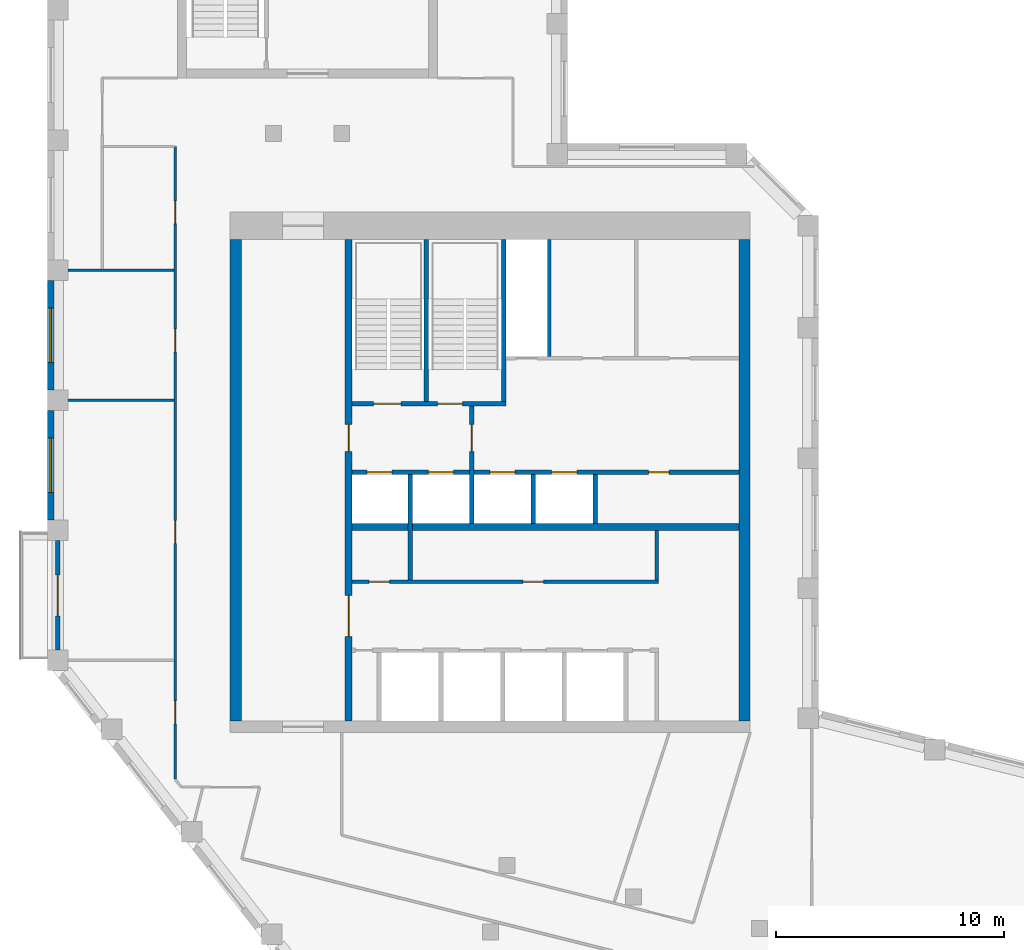
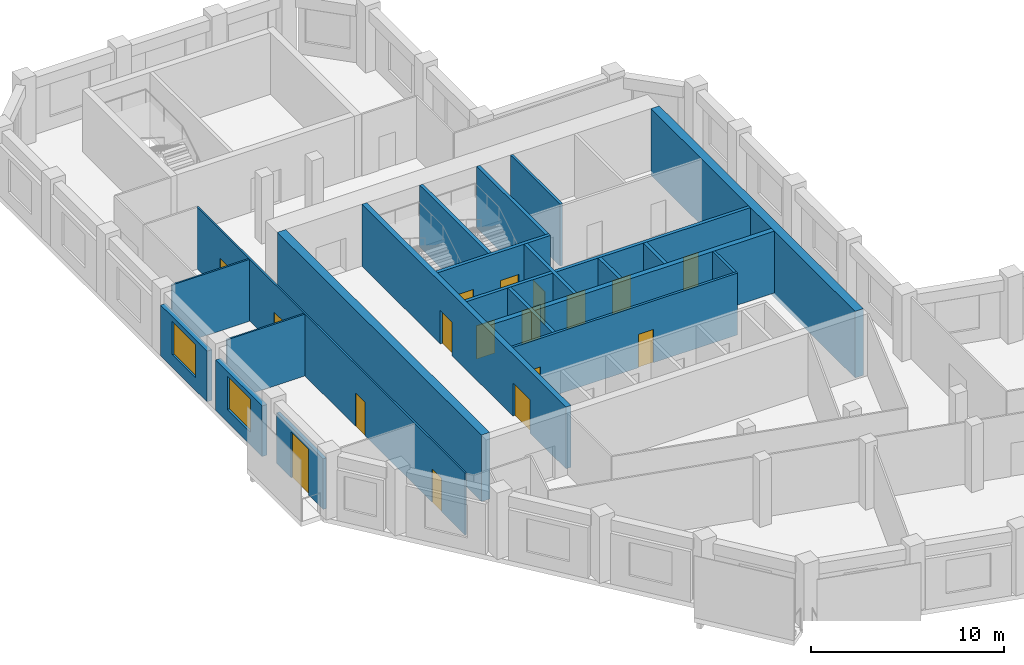
# One storey, part 5 of 8: 21 walls, 17 doors, 2 windows, 19 openings.
"""IFC4 building model written with IfcOpenShell, lengths in metres."""

from ifc_helpers import new_model, si_unit, direction, frame, frame_2d, origin, place, context, subcontext, project, spatial, rectangle, extrude, material, layer, layer_set, type_object, element, fill, save


model = new_model("IFC4")

# Units and contexts
model_context = context("Model", 3, precision=1e-05, world=origin(), true_north=direction((0.0, 1.0)))
body_context = subcontext(model_context, "Body", "Model", "MODEL_VIEW")
ifc_project = project(units=[si_unit("LENGTHUNIT", "METRE"), si_unit("AREAUNIT", "SQUARE_METRE"), si_unit("VOLUMEUNIT", "CUBIC_METRE"), si_unit("PLANEANGLEUNIT", "RADIAN"), si_unit("MASSUNIT", "GRAM", prefix="KILO")], contexts=[model_context])

# Site, building, storey
site_placement = place(None, origin())
site = spatial("IfcSite", under=ifc_project, at=site_placement, CompositionType="ELEMENT")
building_placement = place(site_placement, origin())
building = spatial("IfcBuilding", under=site, at=building_placement, Name="Meshkara Civic Tower", CompositionType="ELEMENT")
storey_placement = place(building_placement, frame((0.0, 0.0, 391.800048828125)))
storey = spatial("IfcBuildingStorey", under=building, at=storey_placement, Name="L90", CompositionType="ELEMENT", Elevation=391.800048828125)

# Wall, openings, doors
ifc_material_1 = material(Name="Blockwork", Category="masonry")
ifc_layer_1 = layer(ifc_material_1, 0.14990234375)
ifc_layer_set_1 = layer_set([ifc_layer_1], Name="Core partition 150")
wall_type_1 = type_object("IfcWallType", Name="Core partition 150", PredefinedType="PARTITIONING", material=ifc_layer_set_1)
wall_1_placement = place(storey_placement, frame((13.35009765625, 20.699951171875, 0.0), z_axis=(0.0, 0.0, 1.0), x_axis=(1.0, 0.0, 0.0)))
wall_1 = element("IfcWall", 1, at=wall_1_placement, inside=storey, type_object=wall_type_1, Name="L90-C006", PredefinedType="PARTITIONING", context=body_context, shape_type="SweptSolid", body=[
    extrude(rectangle(XDim=13.4248046875, YDim=0.14990234375, at=frame_2d((6.71240234375, 0.0))), origin(), (0.0, 0.0, 1.0), 3.89990234375),
])
opening_1_placement = place(wall_1_placement, frame((0.75, 0.0, 0.0)))
opening_1 = element("IfcOpeningElement", 2, at=opening_1_placement, cuts=wall_1, Name="Opening L90-K011", PredefinedType="OPENING", context=body_context, shape_type="SweptSolid", body=[
    extrude(rectangle(XDim=0.89990234375, YDim=2.10009765625, at=frame_2d((0.449951171875, 1.050048828125))), frame((0.0, 0.0849609375, 0.0), z_axis=(0.0, -1.0, 0.0), x_axis=(1.0, 0.0, 0.0)), (0.0, 0.0, 1.0), 0.169921875),
])
opening_2_placement = place(wall_1_placement, frame((7.5, 0.0, 0.0)))
opening_2 = element("IfcOpeningElement", 3, at=opening_2_placement, cuts=wall_1, Name="Opening L90-K012", PredefinedType="OPENING", context=body_context, shape_type="SweptSolid", body=[
    extrude(rectangle(XDim=0.89990234375, YDim=2.10009765625, at=frame_2d((0.449951171875, 1.050048828125))), frame((0.0, 0.0849609375, 0.0), z_axis=(0.0, -1.0, 0.0), x_axis=(1.0, 0.0, 0.0)), (0.0, 0.0, 1.0), 0.169921875),
])
ifc_material_2 = material(Name="Timber door leaf in steel frame", Category="steel")
door_type_1 = type_object("IfcDoorType", Name="Core room door 900", OperationType="SINGLE_SWING_LEFT", PredefinedType="DOOR", material=ifc_material_2)
door_1_placement = place(opening_1_placement, origin())
door_1 = element("IfcDoor", 4, at=door_1_placement, inside=storey, type_object=door_type_1, Name="L90-K011", OperationType="SINGLE_SWING_RIGHT", OverallHeight=2.10009765625, OverallWidth=0.89990234375, PredefinedType="DOOR", context=body_context, shape_type="SweptSolid", body=[
    extrude(rectangle(XDim=0.89990234375, YDim=2.10009765625, at=frame_2d((0.449951171875, 1.050048828125))), frame((0.0, 0.02490234375, 0.0), z_axis=(0.0, -1.0, 0.0), x_axis=(1.0, 0.0, 0.0)), (0.0, 0.0, 1.0), 0.050048828125),
])
fill(opening_1, door_1)
door_2_placement = place(opening_2_placement, origin())
door_2 = element("IfcDoor", 5, at=door_2_placement, inside=storey, type_object=door_type_1, Name="L90-K012", OperationType="SINGLE_SWING_LEFT", OverallHeight=2.10009765625, OverallWidth=0.89990234375, PredefinedType="DOOR", context=body_context, shape_type="SweptSolid", body=[
    extrude(rectangle(XDim=0.89990234375, YDim=2.10009765625, at=frame_2d((0.449951171875, 1.050048828125))), frame((0.0, 0.02490234375, 0.0), z_axis=(0.0, -1.0, 0.0), x_axis=(1.0, 0.0, 0.0)), (0.0, 0.0, 1.0), 0.050048828125),
])
fill(opening_2, door_2)

# Walls
wall_2_placement = place(storey_placement, frame((22.0, 30.574951171875, 0.0), z_axis=(0.0, 0.0, 1.0), x_axis=(0.0, 1.0, 0.0)))
element("IfcWall", 6, at=wall_2_placement, inside=storey, type_object=wall_type_1, Name="L90-C020", PredefinedType="PARTITIONING", context=body_context, shape_type="SweptSolid", body=[
    extrude(rectangle(XDim=5.125, YDim=0.14990234375, at=frame_2d((2.5625, 0.0))), origin(), (0.0, 0.0, 1.0), 3.89990234375),
])
wall_3_placement = place(storey_placement, frame((26.699951171875, 20.77490234375, 0.0), z_axis=(0.0, 0.0, 1.0), x_axis=(0.0, 1.0, 0.0)))
element("IfcWall", 7, at=wall_3_placement, inside=storey, type_object=wall_type_1, Name="L90-C026", PredefinedType="PARTITIONING", context=body_context, shape_type="SweptSolid", body=[
    extrude(rectangle(XDim=2.175048828125, YDim=0.14990234375, at=frame_2d((1.08740234375, 0.0))), origin(), (0.0, 0.0, 1.0), 3.89990234375),
])
ifc_material_3 = material(Name="Concrete C50", Category="concrete")
ifc_layer_2 = layer(ifc_material_3, 0.5)
ifc_layer_set_2 = layer_set([ifc_layer_2], Name="Core ring wall 500 C50")
wall_type_2 = type_object("IfcWallType", Name="Core ring wall 500 C50", PredefinedType="SHEAR", material=ifc_layer_set_2)
for number, where, z_axis, x_axis, name in (
    (8, (8.25, 14.60009765625, -0.300048828125), (0.0, 0.0, 1.0), (0.0, 1.0, 0.0), "L90-C003"),
    (9, (30.550048828125, 14.60009765625, -0.300048828125), (0.0, 0.0, 1.0), (0.0, 1.0, 0.0), "L90-C004"),
):
    element("IfcWall", number, at=place(storey_placement, frame(where, z_axis=z_axis, x_axis=x_axis)), inside=storey, type_object=wall_type_2, Name=name, PredefinedType="SHEAR", context=body_context, shape_type="SweptSolid", body=[
        extrude(rectangle(XDim=21.099853515625, YDim=0.5, at=frame_2d((10.5498046875, 0.0))), origin(), (0.0, 0.0, 1.0), 4.199951171875),
    ])
ifc_material_4 = material(Name="Concrete C50", Category="concrete")
ifc_layer_3 = layer(ifc_material_4, 0.300048828125)
ifc_layer_set_3 = layer_set([ifc_layer_3], Name="Core shear wall 300 C50")
wall_type_3 = type_object("IfcWallType", Name="Core shear wall 300 C50", PredefinedType="SHEAR", material=ifc_layer_set_3)
wall_4_placement = place(storey_placement, frame((13.35009765625, 23.10009765625, 0.0), z_axis=(0.0, 0.0, 1.0), x_axis=(1.0, 0.0, 0.0)))
element("IfcWall", 10, at=wall_4_placement, inside=storey, type_object=wall_type_3, Name="L90-C007", PredefinedType="SHEAR", context=body_context, shape_type="SweptSolid", body=[
    extrude(rectangle(XDim=16.949951171875, YDim=0.300048828125, at=frame_2d((8.47509765625, 0.0))), origin(), (0.0, 0.0, 1.0), 3.89990234375),
])

# Wall, openings, doors
wall_5_placement = place(storey_placement, frame((13.199951171875, 14.60009765625, 0.0), z_axis=(0.0, 0.0, 1.0), x_axis=(0.0, 1.0, 0.0)))
wall_5 = element("IfcWall", 11, at=wall_5_placement, inside=storey, type_object=wall_type_3, Name="L90-C011", PredefinedType="SHEAR", context=body_context, shape_type="SweptSolid", body=[
    extrude(rectangle(XDim=21.099853515625, YDim=0.300048828125, at=frame_2d((10.5498046875, 0.0))), origin(), (0.0, 0.0, 1.0), 3.89990234375),
])
opening_3_placement = place(wall_5_placement, frame((3.699951171875, 0.0, 0.0)))
opening_3 = element("IfcOpeningElement", 12, at=opening_3_placement, cuts=wall_5, Name="Opening L90-K019", PredefinedType="OPENING", context=body_context, shape_type="SweptSolid", body=[
    extrude(rectangle(XDim=1.800048828125, YDim=2.10009765625, at=frame_2d((0.89990234375, 1.050048828125))), frame((0.0, 0.159912109375, 0.0), z_axis=(0.0, -1.0, 0.0), x_axis=(1.0, 0.0, 0.0)), (0.0, 0.0, 1.0), 0.320068359375),
])
opening_4_placement = place(wall_5_placement, frame((11.800048828125, 0.0, 0.0)))
opening_4 = element("IfcOpeningElement", 13, at=opening_4_placement, cuts=wall_5, Name="Opening L90-K020", PredefinedType="OPENING", context=body_context, shape_type="SweptSolid", body=[
    extrude(rectangle(XDim=1.199951171875, YDim=2.10009765625, at=frame_2d((0.60009765625, 1.050048828125))), frame((0.0, 0.159912109375, 0.0), z_axis=(0.0, -1.0, 0.0), x_axis=(1.0, 0.0, 0.0)), (0.0, 0.0, 1.0), 0.320068359375),
])
ifc_material_5 = material(Name="Fire-rated door leaf in steel frame", Category="steel")
door_type_2 = type_object("IfcDoorType", Name="Core double door 1800 EI 60", OperationType="DOUBLE_DOOR_SINGLE_SWING", PredefinedType="DOOR", material=ifc_material_5)
door_3_placement = place(opening_3_placement, origin())
door_3 = element("IfcDoor", 14, at=door_3_placement, inside=storey, type_object=door_type_2, Name="L90-K019", OperationType="DOUBLE_DOOR_SINGLE_SWING", OverallHeight=2.10009765625, OverallWidth=1.800048828125, PredefinedType="DOOR", context=body_context, shape_type="SweptSolid", body=[
    extrude(rectangle(XDim=1.800048828125, YDim=2.10009765625, at=frame_2d((0.89990234375, 1.050048828125))), frame((0.0, 0.02490234375, 0.0), z_axis=(0.0, -1.0, 0.0), x_axis=(1.0, 0.0, 0.0)), (0.0, 0.0, 1.0), 0.050048828125),
])
fill(opening_3, door_3)
ifc_material_6 = material(Name="Fire-rated door leaf in steel frame", Category="steel")
door_type_3 = type_object("IfcDoorType", Name="Fire-fighting lobby door 1200 EI 120", OperationType="SINGLE_SWING_LEFT", PredefinedType="DOOR", material=ifc_material_6)
door_4_placement = place(opening_4_placement, origin())
door_4 = element("IfcDoor", 15, at=door_4_placement, inside=storey, type_object=door_type_3, Name="L90-K020", OperationType="SINGLE_SWING_LEFT", OverallHeight=2.10009765625, OverallWidth=1.199951171875, PredefinedType="DOOR", context=body_context, shape_type="SweptSolid", body=[
    extrude(rectangle(XDim=1.199951171875, YDim=2.10009765625, at=frame_2d((0.60009765625, 1.050048828125))), frame((0.0, 0.02490234375, 0.0), z_axis=(0.0, -1.0, 0.0), x_axis=(1.0, 0.0, 0.0)), (0.0, 0.0, 1.0), 0.050048828125),
])
fill(opening_4, door_4)

ifc_material_7 = material(Name="Corridor wall 100")
ifc_layer_4 = layer(ifc_material_7, 0.10009765625)
ifc_layer_set_4 = layer_set([ifc_layer_4], Name="Corridor wall 100")
wall_type_4 = type_object("IfcWallType", Name="Corridor wall 100", PredefinedType="PARTITIONING", material=ifc_layer_set_4)
wall_6_placement = place(storey_placement, frame((5.60009765625, 39.77001953125, 0.0), z_axis=(0.0, 0.0, 1.0), x_axis=(0.0, -1.0, 0.0)))
wall_6 = element("IfcWall", 16, at=wall_6_placement, inside=storey, type_object=wall_type_4, Name="L90-W004", PredefinedType="PARTITIONING", context=body_context, shape_type="SweptSolid", body=[
    extrude(rectangle(XDim=27.72607421875, YDim=0.10009765625, at=frame_2d((13.863037109375, 0.0))), origin(), (0.0, 0.0, 1.0), 3.89990234375),
])
opening_5_placement = place(wall_6_placement, frame((24.294921875, 0.0, 0.0)))
opening_5 = element("IfcOpeningElement", 17, at=opening_5_placement, cuts=wall_6, Name="Opening L90-D011", PredefinedType="OPENING", context=body_context, shape_type="SweptSolid", body=[
    extrude(rectangle(XDim=1.0, YDim=2.10009765625, at=frame_2d((0.5, 1.050048828125))), frame((0.0, 0.06005859375, 0.0), z_axis=(0.0, -1.0, 0.0), x_axis=(1.0, 0.0, 0.0)), (0.0, 0.0, 1.0), 0.1201171875),
])
opening_6_placement = place(wall_6_placement, frame((16.39501953125, 0.0, 0.0)))
opening_6 = element("IfcOpeningElement", 18, at=opening_6_placement, cuts=wall_6, Name="Opening L90-D012", PredefinedType="OPENING", context=body_context, shape_type="SweptSolid", body=[
    extrude(rectangle(XDim=1.0, YDim=2.10009765625, at=frame_2d((0.5, 1.050048828125))), frame((0.0, 0.06005859375, 0.0), z_axis=(0.0, -1.0, 0.0), x_axis=(1.0, 0.0, 0.0)), (0.0, 0.0, 1.0), 0.1201171875),
])
opening_7_placement = place(wall_6_placement, frame((7.9951171875, 0.0, 0.0)))
opening_7 = element("IfcOpeningElement", 19, at=opening_7_placement, cuts=wall_6, Name="Opening L90-D013", PredefinedType="OPENING", context=body_context, shape_type="SweptSolid", body=[
    extrude(rectangle(XDim=1.0, YDim=2.10009765625, at=frame_2d((0.5, 1.050048828125))), frame((0.0, 0.06005859375, 0.0), z_axis=(0.0, -1.0, 0.0), x_axis=(1.0, 0.0, 0.0)), (0.0, 0.0, 1.0), 0.1201171875),
])
opening_8_placement = place(wall_6_placement, frame((2.3798828125, 0.0, 0.0)))
opening_8 = element("IfcOpeningElement", 20, at=opening_8_placement, cuts=wall_6, Name="Opening L90-D015", PredefinedType="OPENING", context=body_context, shape_type="SweptSolid", body=[
    extrude(rectangle(XDim=1.0, YDim=2.10009765625, at=frame_2d((0.5, 1.050048828125))), frame((0.0, 0.06005859375, 0.0), z_axis=(0.0, -1.0, 0.0), x_axis=(1.0, 0.0, 0.0)), (0.0, 0.0, 1.0), 0.1201171875),
])
ifc_material_8 = material(Name="Door 1000 x 2100")
door_type_4 = type_object("IfcDoorType", Name="Door 1000 x 2100", OperationType="SINGLE_SWING_LEFT", PredefinedType="DOOR", material=ifc_material_8)
door_5_placement = place(opening_5_placement, origin())
door_5 = element("IfcDoor", 21, at=door_5_placement, inside=storey, type_object=door_type_4, Name="L90-D011", OperationType="SINGLE_SWING_RIGHT", OverallHeight=2.10009765625, OverallWidth=1.0, PredefinedType="DOOR", context=body_context, shape_type="SweptSolid", body=[
    extrude(rectangle(XDim=1.0, YDim=2.10009765625, at=frame_2d((0.5, 1.050048828125))), frame((0.0, 0.02490234375, 0.0), z_axis=(0.0, -1.0, 0.0), x_axis=(1.0, 0.0, 0.0)), (0.0, 0.0, 1.0), 0.050048828125),
])
fill(opening_5, door_5)
door_6_placement = place(opening_6_placement, origin())
door_6 = element("IfcDoor", 22, at=door_6_placement, inside=storey, type_object=door_type_4, Name="L90-D012", OperationType="SINGLE_SWING_LEFT", OverallHeight=2.10009765625, OverallWidth=1.0, PredefinedType="DOOR", context=body_context, shape_type="SweptSolid", body=[
    extrude(rectangle(XDim=1.0, YDim=2.10009765625, at=frame_2d((0.5, 1.050048828125))), frame((0.0, 0.02490234375, 0.0), z_axis=(0.0, -1.0, 0.0), x_axis=(1.0, 0.0, 0.0)), (0.0, 0.0, 1.0), 0.050048828125),
])
fill(opening_6, door_6)
door_7_placement = place(opening_7_placement, origin())
door_7 = element("IfcDoor", 23, at=door_7_placement, inside=storey, type_object=door_type_4, Name="L90-D013", OperationType="SINGLE_SWING_LEFT", OverallHeight=2.10009765625, OverallWidth=1.0, PredefinedType="DOOR", context=body_context, shape_type="SweptSolid", body=[
    extrude(rectangle(XDim=1.0, YDim=2.10009765625, at=frame_2d((0.5, 1.050048828125))), frame((0.0, 0.02490234375, 0.0), z_axis=(0.0, -1.0, 0.0), x_axis=(1.0, 0.0, 0.0)), (0.0, 0.0, 1.0), 0.050048828125),
])
fill(opening_7, door_7)
door_8_placement = place(opening_8_placement, origin())
door_8 = element("IfcDoor", 24, at=door_8_placement, inside=storey, type_object=door_type_4, Name="L90-D015", OperationType="SINGLE_SWING_LEFT", OverallHeight=2.10009765625, OverallWidth=1.0, PredefinedType="DOOR", context=body_context, shape_type="SweptSolid", body=[
    extrude(rectangle(XDim=1.0, YDim=2.10009765625, at=frame_2d((0.5, 1.050048828125))), frame((0.0, 0.02490234375, 0.0), z_axis=(0.0, -1.0, 0.0), x_axis=(1.0, 0.0, 0.0)), (0.0, 0.0, 1.0), 0.050048828125),
])
fill(opening_8, door_8)

# Wall, opening, window
ifc_material_9 = material(Name="Insulated infill panel with bronze anodised aluminium cladding", Category="aluminium")
ifc_layer_5 = layer(ifc_material_9, 0.300048828125)
ifc_layer_set_5 = layer_set([ifc_layer_5], Name="EXTERNAL INFILL WALL 300")
wall_type_5 = type_object("IfcWallType", Name="EXTERNAL INFILL WALL 300", PredefinedType="SOLIDWALL", material=ifc_layer_set_5)
wall_7_placement = place(storey_placement, frame((0.14990234375, 33.905029296875, 0.0), z_axis=(0.0, 0.0, 1.0), x_axis=(0.0, -1.0, 0.0)))
wall_7 = element("IfcWall", 25, at=wall_7_placement, inside=storey, type_object=wall_type_5, Name="External wall", PredefinedType="SOLIDWALL", context=body_context, shape_type="SweptSolid", body=[
    extrude(rectangle(XDim=4.800048828125, YDim=0.300048828125, at=frame_2d((2.39990234375, 0.0))), origin(), (0.0, 0.0, 1.0), 3.199951171875),
])
opening_9_placement = place(wall_7_placement, frame((1.199951171875, 0.0, 0.800048828125)))
opening_9 = element("IfcOpeningElement", 26, at=opening_9_placement, cuts=wall_7, Name="Opening W7", PredefinedType="OPENING", context=body_context, shape_type="SweptSolid", body=[
    extrude(rectangle(XDim=2.39990234375, YDim=2.10009765625, at=frame_2d((1.199951171875, 1.050048828125))), frame((0.0, 0.159912109375, 0.0), z_axis=(0.0, -1.0, 0.0), x_axis=(1.0, 0.0, 0.0)), (0.0, 0.0, 1.0), 0.320068359375),
])
ifc_material_10 = material(Name="Tinted double glazing", Category="glass")
window_type = type_object("IfcWindowType", Name="WINDOW 2400x2100", PartitioningType="DOUBLE_PANEL_VERTICAL", PredefinedType="WINDOW", material=ifc_material_10)
window_1_placement = place(opening_9_placement, origin())
window_1 = element("IfcWindow", 27, at=window_1_placement, inside=storey, type_object=window_type, Name="Window", OverallHeight=2.10009765625, OverallWidth=2.39990234375, PartitioningType="DOUBLE_PANEL_VERTICAL", PredefinedType="WINDOW", context=body_context, shape_type="SweptSolid", body=[
    extrude(rectangle(XDim=2.39990234375, YDim=2.10009765625, at=frame_2d((1.199951171875, 1.050048828125))), frame((0.0, 0.030029296875, 0.0), z_axis=(0.0, -1.0, 0.0), x_axis=(1.0, 0.0, 0.0)), (0.0, 0.0, 1.0), 0.06005859375),
])
fill(opening_9, window_1)

wall_8_placement = place(storey_placement, frame((0.14990234375, 28.205078125, 0.0), z_axis=(0.0, 0.0, 1.0), x_axis=(0.0, -1.0, 0.0)))
wall_8 = element("IfcWall", 28, at=wall_8_placement, inside=storey, type_object=wall_type_5, Name="External wall", PredefinedType="SOLIDWALL", context=body_context, shape_type="SweptSolid", body=[
    extrude(rectangle(XDim=4.800048828125, YDim=0.300048828125, at=frame_2d((2.39990234375, 0.0))), origin(), (0.0, 0.0, 1.0), 3.199951171875),
])
opening_10_placement = place(wall_8_placement, frame((1.199951171875, 0.0, 0.800048828125)))
opening_10 = element("IfcOpeningElement", 29, at=opening_10_placement, cuts=wall_8, Name="Opening W7", PredefinedType="OPENING", context=body_context, shape_type="SweptSolid", body=[
    extrude(rectangle(XDim=2.39990234375, YDim=2.10009765625, at=frame_2d((1.199951171875, 1.050048828125))), frame((0.0, 0.159912109375, 0.0), z_axis=(0.0, -1.0, 0.0), x_axis=(1.0, 0.0, 0.0)), (0.0, 0.0, 1.0), 0.320068359375),
])
window_2_placement = place(opening_10_placement, origin())
window_2 = element("IfcWindow", 30, at=window_2_placement, inside=storey, type_object=window_type, Name="Window", OverallHeight=2.10009765625, OverallWidth=2.39990234375, PartitioningType="DOUBLE_PANEL_VERTICAL", PredefinedType="WINDOW", context=body_context, shape_type="SweptSolid", body=[
    extrude(rectangle(XDim=2.39990234375, YDim=2.10009765625, at=frame_2d((1.199951171875, 1.050048828125))), frame((0.0, 0.030029296875, 0.0), z_axis=(0.0, -1.0, 0.0), x_axis=(1.0, 0.0, 0.0)), (0.0, 0.0, 1.0), 0.06005859375),
])
fill(opening_10, window_2)

# Wall, opening, door
ifc_material_11 = material(Name="Insulated infill panel with bronze anodised aluminium cladding", Category="aluminium")
ifc_layer_6 = layer(ifc_material_11, 0.199951171875)
ifc_layer_set_6 = layer_set([ifc_layer_6], Name="LOGGIA BACK WALL 200")
wall_type_6 = type_object("IfcWallType", Name="LOGGIA BACK WALL 200", PredefinedType="SOLIDWALL", material=ifc_layer_set_6)
wall_9_placement = place(storey_placement, frame((0.449951171875, 22.5048828125, 0.0), z_axis=(0.0, 0.0, 1.0), x_axis=(0.0, -1.0, 0.0)))
wall_9 = element("IfcWall", 31, at=wall_9_placement, inside=storey, type_object=wall_type_6, Name="Loggia wall", PredefinedType="SOLIDWALL", context=body_context, shape_type="SweptSolid", body=[
    extrude(rectangle(XDim=4.798828125, YDim=0.199951171875, at=frame_2d((2.3994140625, 0.0))), origin(), (0.0, 0.0, 1.0), 3.199951171875),
])
opening_11_placement = place(wall_9_placement, frame((1.5, 0.0, 0.0)))
opening_11 = element("IfcOpeningElement", 32, at=opening_11_placement, cuts=wall_9, Name="Opening L90-L001", PredefinedType="OPENING", context=body_context, shape_type="SweptSolid", body=[
    extrude(rectangle(XDim=1.800048828125, YDim=2.89990234375, at=frame_2d((0.89990234375, 1.449951171875))), frame((0.0, 0.10986328125, 0.0), z_axis=(0.0, -1.0, 0.0), x_axis=(1.0, 0.0, 0.0)), (0.0, 0.0, 1.0), 0.219970703125),
])
ifc_material_12 = material(Name="Tinted double glazing", Category="glass")
door_type_5 = type_object("IfcDoorType", Name="LOGGIA DOOR 1800x2900", OperationType="DOUBLE_DOOR_SINGLE_SWING", PredefinedType="DOOR", material=ifc_material_12)
door_9_placement = place(opening_11_placement, origin())
door_9 = element("IfcDoor", 33, at=door_9_placement, inside=storey, type_object=door_type_5, Name="L90-L001", OperationType="DOUBLE_DOOR_SINGLE_SWING", OverallHeight=2.89990234375, OverallWidth=1.800048828125, PredefinedType="DOOR", context=body_context, shape_type="SweptSolid", body=[
    extrude(rectangle(XDim=1.800048828125, YDim=2.89990234375, at=frame_2d((0.89990234375, 1.449951171875))), frame((0.0, 0.02490234375, 0.0), z_axis=(0.0, -1.0, 0.0), x_axis=(1.0, 0.0, 0.0)), (0.0, 0.0, 1.0), 0.050048828125),
])
fill(opening_11, door_9)

# Walls
ifc_material_13 = material(Name="Partition 100")
ifc_layer_7 = layer(ifc_material_13, 0.10009765625)
ifc_layer_set_7 = layer_set([ifc_layer_7], Name="Partition 100")
wall_type_7 = type_object("IfcWallType", Name="Partition 100", PredefinedType="PARTITIONING", material=ifc_layer_set_7)
for number, where, z_axis, x_axis, name in (
    (34, (0.89990234375, 34.35498046875, 0.0), (0.0, 0.0, 1.0), (1.0, 0.0, 0.0), "L90-W023"),
    (35, (5.550048828125, 28.655029296875, 0.0), (0.0, 0.0, 1.0), (-1.0, 0.0, 0.0), "L90-W026"),
):
    element("IfcWall", number, at=place(storey_placement, frame(where, z_axis=z_axis, x_axis=x_axis)), inside=storey, type_object=wall_type_7, Name=name, PredefinedType="PARTITIONING", context=body_context, shape_type="SweptSolid", body=[
        extrude(rectangle(XDim=4.650146484375, YDim=0.10009765625, at=frame_2d((2.3251953125, 0.0))), origin(), (0.0, 0.0, 1.0), 3.89990234375),
    ])

# Wall, openings, doors
ifc_material_14 = material(Name="Concrete C40/50", Category="concrete")
ifc_layer_8 = layer(ifc_material_14, 0.199951171875)
ifc_layer_set_8 = layer_set([ifc_layer_8], Name="Shaft wall 200 C40/50")
wall_type_8 = type_object("IfcWallType", Name="Shaft wall 200 C40/50", PredefinedType="SOLIDWALL", material=ifc_layer_set_8)
wall_10_placement = place(storey_placement, frame((13.35009765625, 25.5, 0.0), z_axis=(0.0, 0.0, 1.0), x_axis=(1.0, 0.0, 0.0)))
wall_10 = element("IfcWall", 36, at=wall_10_placement, inside=storey, type_object=wall_type_8, Name="L90-C008", PredefinedType="SOLIDWALL", context=body_context, shape_type="SweptSolid", body=[
    extrude(rectangle(XDim=16.949951171875, YDim=0.199951171875, at=frame_2d((8.47509765625, 0.0))), origin(), (0.0, 0.0, 1.0), 3.89990234375),
])
opening_12_placement = place(wall_10_placement, frame((0.64990234375, 0.0, 0.0)))
opening_12 = element("IfcOpeningElement", 37, at=opening_12_placement, cuts=wall_10, Name="Opening L90-K005", PredefinedType="OPENING", context=body_context, shape_type="SweptSolid", body=[
    extrude(rectangle(XDim=1.10009765625, YDim=2.10009765625, at=frame_2d((0.550048828125, 1.050048828125))), frame((0.0, 0.10986328125, 0.0), z_axis=(0.0, -1.0, 0.0), x_axis=(1.0, 0.0, 0.0)), (0.0, 0.0, 1.0), 0.219970703125),
])
opening_13_placement = place(wall_10_placement, frame((3.35009765625, 0.0, 0.0)))
opening_13 = element("IfcOpeningElement", 38, at=opening_13_placement, cuts=wall_10, Name="Opening L90-K006", PredefinedType="OPENING", context=body_context, shape_type="SweptSolid", body=[
    extrude(rectangle(XDim=1.10009765625, YDim=2.10009765625, at=frame_2d((0.550048828125, 1.050048828125))), frame((0.0, 0.10986328125, 0.0), z_axis=(0.0, -1.0, 0.0), x_axis=(1.0, 0.0, 0.0)), (0.0, 0.0, 1.0), 0.219970703125),
])
opening_14_placement = place(wall_10_placement, frame((6.050048828125, 0.0, 0.0)))
opening_14 = element("IfcOpeningElement", 39, at=opening_14_placement, cuts=wall_10, Name="Opening L90-K007", PredefinedType="OPENING", context=body_context, shape_type="SweptSolid", body=[
    extrude(rectangle(XDim=1.10009765625, YDim=2.10009765625, at=frame_2d((0.550048828125, 1.050048828125))), frame((0.0, 0.10986328125, 0.0), z_axis=(0.0, -1.0, 0.0), x_axis=(1.0, 0.0, 0.0)), (0.0, 0.0, 1.0), 0.219970703125),
])
opening_15_placement = place(wall_10_placement, frame((8.75, 0.0, 0.0)))
opening_15 = element("IfcOpeningElement", 40, at=opening_15_placement, cuts=wall_10, Name="Opening L90-K008", PredefinedType="OPENING", context=body_context, shape_type="SweptSolid", body=[
    extrude(rectangle(XDim=1.10009765625, YDim=2.10009765625, at=frame_2d((0.550048828125, 1.050048828125))), frame((0.0, 0.10986328125, 0.0), z_axis=(0.0, -1.0, 0.0), x_axis=(1.0, 0.0, 0.0)), (0.0, 0.0, 1.0), 0.219970703125),
])
opening_16_placement = place(wall_10_placement, frame((13.0, 0.0, 0.0)))
opening_16 = element("IfcOpeningElement", 41, at=opening_16_placement, cuts=wall_10, Name="Opening L90-K013", PredefinedType="OPENING", context=body_context, shape_type="SweptSolid", body=[
    extrude(rectangle(XDim=0.89990234375, YDim=2.10009765625, at=frame_2d((0.449951171875, 1.050048828125))), frame((0.0, 0.10986328125, 0.0), z_axis=(0.0, -1.0, 0.0), x_axis=(1.0, 0.0, 0.0)), (0.0, 0.0, 1.0), 0.219970703125),
])
door_10_placement = place(opening_16_placement, origin())
door_10 = element("IfcDoor", 42, at=door_10_placement, inside=storey, type_object=door_type_1, Name="L90-K013", OperationType="SINGLE_SWING_LEFT", OverallHeight=2.10009765625, OverallWidth=0.89990234375, PredefinedType="DOOR", context=body_context, shape_type="SweptSolid", body=[
    extrude(rectangle(XDim=0.89990234375, YDim=2.10009765625, at=frame_2d((0.449951171875, 1.050048828125))), frame((0.0, 0.02490234375, 0.0), z_axis=(0.0, -1.0, 0.0), x_axis=(1.0, 0.0, 0.0)), (0.0, 0.0, 1.0), 0.050048828125),
])
fill(opening_16, door_10)
ifc_material_15 = material(Name="Stainless steel landing door", Category="steel")
door_type_6 = type_object("IfcDoorType", Name="Lift landing door 1100", OperationType="SLIDING_TO_LEFT", PredefinedType="DOOR", material=ifc_material_15)
door_11_placement = place(opening_12_placement, origin())
door_11 = element("IfcDoor", 43, at=door_11_placement, inside=storey, type_object=door_type_6, Name="L90-K005", OperationType="SLIDING_TO_LEFT", OverallHeight=2.10009765625, OverallWidth=1.10009765625, PredefinedType="DOOR", context=body_context, shape_type="SweptSolid", body=[
    extrude(rectangle(XDim=1.10009765625, YDim=2.10009765625, at=frame_2d((0.550048828125, 1.050048828125))), frame((0.0, 0.02490234375, 0.0), z_axis=(0.0, -1.0, 0.0), x_axis=(1.0, 0.0, 0.0)), (0.0, 0.0, 1.0), 0.050048828125),
])
fill(opening_12, door_11)
door_12_placement = place(opening_13_placement, origin())
door_12 = element("IfcDoor", 44, at=door_12_placement, inside=storey, type_object=door_type_6, Name="L90-K006", OperationType="SLIDING_TO_LEFT", OverallHeight=2.10009765625, OverallWidth=1.10009765625, PredefinedType="DOOR", context=body_context, shape_type="SweptSolid", body=[
    extrude(rectangle(XDim=1.10009765625, YDim=2.10009765625, at=frame_2d((0.550048828125, 1.050048828125))), frame((0.0, 0.02490234375, 0.0), z_axis=(0.0, -1.0, 0.0), x_axis=(1.0, 0.0, 0.0)), (0.0, 0.0, 1.0), 0.050048828125),
])
fill(opening_13, door_12)
door_13_placement = place(opening_14_placement, origin())
door_13 = element("IfcDoor", 45, at=door_13_placement, inside=storey, type_object=door_type_6, Name="L90-K007", OperationType="SLIDING_TO_LEFT", OverallHeight=2.10009765625, OverallWidth=1.10009765625, PredefinedType="DOOR", context=body_context, shape_type="SweptSolid", body=[
    extrude(rectangle(XDim=1.10009765625, YDim=2.10009765625, at=frame_2d((0.550048828125, 1.050048828125))), frame((0.0, 0.02490234375, 0.0), z_axis=(0.0, -1.0, 0.0), x_axis=(1.0, 0.0, 0.0)), (0.0, 0.0, 1.0), 0.050048828125),
])
fill(opening_14, door_13)
door_14_placement = place(opening_15_placement, origin())
door_14 = element("IfcDoor", 46, at=door_14_placement, inside=storey, type_object=door_type_6, Name="L90-K008", OperationType="SLIDING_TO_LEFT", OverallHeight=2.10009765625, OverallWidth=1.10009765625, PredefinedType="DOOR", context=body_context, shape_type="SweptSolid", body=[
    extrude(rectangle(XDim=1.10009765625, YDim=2.10009765625, at=frame_2d((0.550048828125, 1.050048828125))), frame((0.0, 0.02490234375, 0.0), z_axis=(0.0, -1.0, 0.0), x_axis=(1.0, 0.0, 0.0)), (0.0, 0.0, 1.0), 0.050048828125),
])
fill(opening_15, door_14)

# Wall
wall_11_placement = place(storey_placement, frame((15.89990234375, 20.77490234375, 0.0), z_axis=(0.0, 0.0, 1.0), x_axis=(0.0, 1.0, 0.0)))
element("IfcWall", 47, at=wall_11_placement, inside=storey, type_object=wall_type_8, Name="L90-C013", PredefinedType="SOLIDWALL", context=body_context, shape_type="SweptSolid", body=[
    extrude(rectangle(XDim=4.625, YDim=0.199951171875, at=frame_2d((2.3125, 0.0))), origin(), (0.0, 0.0, 1.0), 3.89990234375),
])

# Wall, opening, door
wall_12_placement = place(storey_placement, frame((18.60009765625, 23.25, 0.0), z_axis=(0.0, 0.0, 1.0), x_axis=(0.0, 1.0, 0.0)))
wall_12 = element("IfcWall", 48, at=wall_12_placement, inside=storey, type_object=wall_type_8, Name="L90-C016", PredefinedType="SOLIDWALL", context=body_context, shape_type="SweptSolid", body=[
    extrude(rectangle(XDim=5.14990234375, YDim=0.199951171875, at=frame_2d((2.574951171875, 0.0))), origin(), (0.0, 0.0, 1.0), 3.89990234375),
])
opening_17_placement = place(wall_12_placement, frame((3.14990234375, 0.0, 0.0)))
opening_17 = element("IfcOpeningElement", 49, at=opening_17_placement, cuts=wall_12, Name="Opening L90-K021", PredefinedType="OPENING", context=body_context, shape_type="SweptSolid", body=[
    extrude(rectangle(XDim=1.199951171875, YDim=2.10009765625, at=frame_2d((0.60009765625, 1.050048828125))), frame((0.0, 0.10986328125, 0.0), z_axis=(0.0, -1.0, 0.0), x_axis=(1.0, 0.0, 0.0)), (0.0, 0.0, 1.0), 0.219970703125),
])
door_15_placement = place(opening_17_placement, origin())
door_15 = element("IfcDoor", 50, at=door_15_placement, inside=storey, type_object=door_type_3, Name="L90-K021", OperationType="SINGLE_SWING_RIGHT", OverallHeight=2.10009765625, OverallWidth=1.199951171875, PredefinedType="DOOR", context=body_context, shape_type="SweptSolid", body=[
    extrude(rectangle(XDim=1.199951171875, YDim=2.10009765625, at=frame_2d((0.60009765625, 1.050048828125))), frame((0.0, 0.02490234375, 0.0), z_axis=(0.0, -1.0, 0.0), x_axis=(1.0, 0.0, 0.0)), (0.0, 0.0, 1.0), 0.050048828125),
])
fill(opening_17, door_15)

# Walls
for number, where, z_axis, x_axis, name in (
    (51, (21.300048828125, 23.25, 0.0), (0.0, 0.0, 1.0), (0.0, 1.0, 0.0), "L90-C019"),
    (52, (24.0, 23.25, 0.0), (0.0, 0.0, 1.0), (0.0, 1.0, 0.0), "L90-C022"),
):
    element("IfcWall", number, at=place(storey_placement, frame(where, z_axis=z_axis, x_axis=x_axis)), inside=storey, type_object=wall_type_8, Name=name, PredefinedType="SOLIDWALL", context=body_context, shape_type="SweptSolid", body=[
        extrude(rectangle(XDim=2.14990234375, YDim=0.199951171875, at=frame_2d((1.074951171875, 0.0))), origin(), (0.0, 0.0, 1.0), 3.89990234375),
    ])

# Wall, openings, doors
ifc_material_16 = material(Name="Concrete C40/50", Category="concrete")
ifc_layer_9 = layer(ifc_material_16, 0.199951171875)
ifc_layer_set_9 = layer_set([ifc_layer_9], Name="Stair enclosure wall 200 C40/50")
wall_type_9 = type_object("IfcWallType", Name="Stair enclosure wall 200 C40/50", PredefinedType="SOLIDWALL", material=ifc_layer_set_9)
wall_13_placement = place(storey_placement, frame((13.35009765625, 28.5, 0.0), z_axis=(0.0, 0.0, 1.0), x_axis=(1.0, 0.0, 0.0)))
wall_13 = element("IfcWall", 53, at=wall_13_placement, inside=storey, type_object=wall_type_9, Name="L90-C009", PredefinedType="SOLIDWALL", context=body_context, shape_type="SweptSolid", body=[
    extrude(rectangle(XDim=6.75, YDim=0.199951171875, at=frame_2d((3.375, 0.0))), origin(), (0.0, 0.0, 1.0), 3.89990234375),
])
opening_18_placement = place(wall_13_placement, frame((0.949951171875, 0.0, 0.0)))
opening_18 = element("IfcOpeningElement", 54, at=opening_18_placement, cuts=wall_13, Name="Opening L90-K017", PredefinedType="OPENING", context=body_context, shape_type="SweptSolid", body=[
    extrude(rectangle(XDim=1.199951171875, YDim=2.10009765625, at=frame_2d((0.60009765625, 1.050048828125))), frame((0.0, 0.10986328125, 0.0), z_axis=(0.0, -1.0, 0.0), x_axis=(1.0, 0.0, 0.0)), (0.0, 0.0, 1.0), 0.219970703125),
])
opening_19_placement = place(wall_13_placement, frame((3.75, 0.0, 0.0)))
opening_19 = element("IfcOpeningElement", 55, at=opening_19_placement, cuts=wall_13, Name="Opening L90-K018", PredefinedType="OPENING", context=body_context, shape_type="SweptSolid", body=[
    extrude(rectangle(XDim=1.10009765625, YDim=2.10009765625, at=frame_2d((0.550048828125, 1.050048828125))), frame((0.0, 0.10986328125, 0.0), z_axis=(0.0, -1.0, 0.0), x_axis=(1.0, 0.0, 0.0)), (0.0, 0.0, 1.0), 0.219970703125),
])
ifc_material_17 = material(Name="Fire-rated door leaf in steel frame", Category="steel")
door_type_7 = type_object("IfcDoorType", Name="Stair door 1100 EI 120", OperationType="SINGLE_SWING_LEFT", PredefinedType="DOOR", material=ifc_material_17)
door_16_placement = place(opening_19_placement, origin())
door_16 = element("IfcDoor", 56, at=door_16_placement, inside=storey, type_object=door_type_7, Name="L90-K018", OperationType="SINGLE_SWING_LEFT", OverallHeight=2.10009765625, OverallWidth=1.10009765625, PredefinedType="DOOR", context=body_context, shape_type="SweptSolid", body=[
    extrude(rectangle(XDim=1.10009765625, YDim=2.10009765625, at=frame_2d((0.550048828125, 1.050048828125))), frame((0.0, 0.02490234375, 0.0), z_axis=(0.0, -1.0, 0.0), x_axis=(1.0, 0.0, 0.0)), (0.0, 0.0, 1.0), 0.050048828125),
])
fill(opening_19, door_16)
ifc_material_18 = material(Name="Fire-rated door leaf in steel frame", Category="steel")
door_type_8 = type_object("IfcDoorType", Name="Stair door 1200 EI 120", OperationType="SINGLE_SWING_LEFT", PredefinedType="DOOR", material=ifc_material_18)
door_17_placement = place(opening_18_placement, origin())
door_17 = element("IfcDoor", 57, at=door_17_placement, inside=storey, type_object=door_type_8, Name="L90-K017", OperationType="SINGLE_SWING_RIGHT", OverallHeight=2.10009765625, OverallWidth=1.199951171875, PredefinedType="DOOR", context=body_context, shape_type="SweptSolid", body=[
    extrude(rectangle(XDim=1.199951171875, YDim=2.10009765625, at=frame_2d((0.60009765625, 1.050048828125))), frame((0.0, 0.02490234375, 0.0), z_axis=(0.0, -1.0, 0.0), x_axis=(1.0, 0.0, 0.0)), (0.0, 0.0, 1.0), 0.050048828125),
])
fill(opening_18, door_17)

# Walls
for number, where, z_axis, x_axis, name in (
    (58, (16.60009765625, 28.60009765625, 0.0), (0.0, 0.0, 1.0), (0.0, 1.0, 0.0), "L90-C014"),
    (59, (20.0, 28.60009765625, 0.0), (0.0, 0.0, 1.0), (0.0, 1.0, 0.0), "L90-C018"),
):
    element("IfcWall", number, at=place(storey_placement, frame(where, z_axis=z_axis, x_axis=x_axis)), inside=storey, type_object=wall_type_9, Name=name, PredefinedType="SOLIDWALL", context=body_context, shape_type="SweptSolid", body=[
        extrude(rectangle(XDim=7.099853515625, YDim=0.199951171875, at=frame_2d((3.5498046875, 0.0))), origin(), (0.0, 0.0, 1.0), 3.89990234375),
    ])

save(model, "model.ifc")
